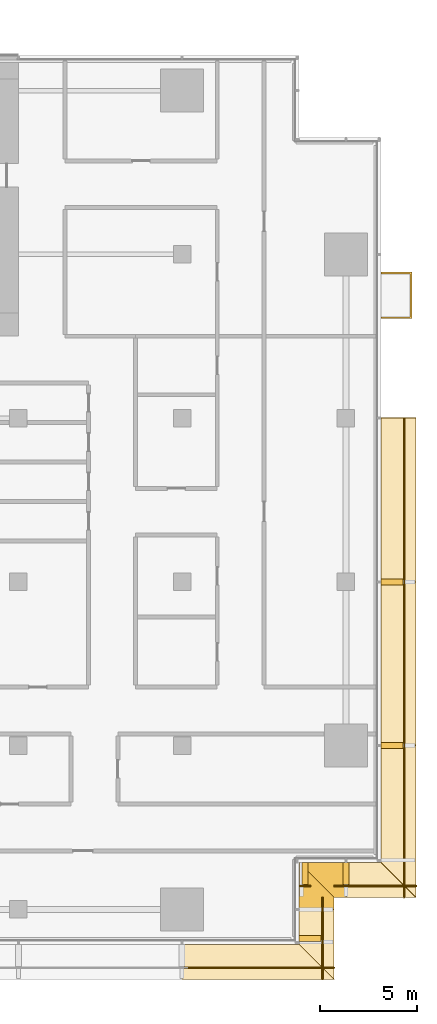
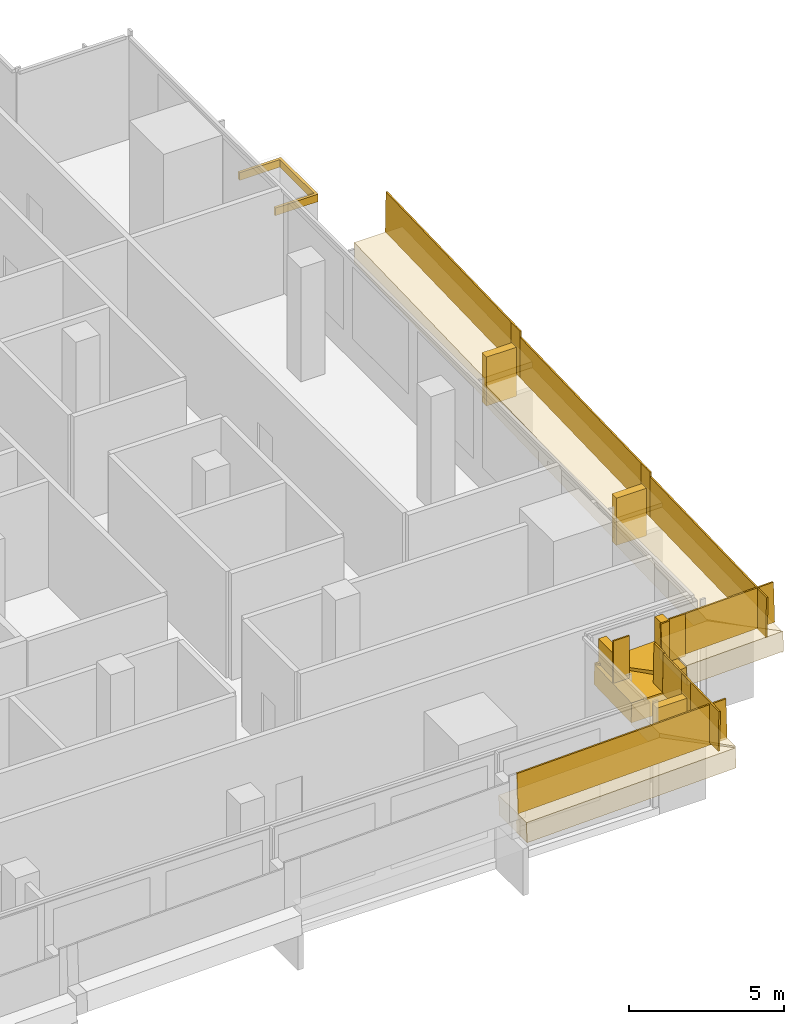
# One storey, part 24 of 24: 14 coverings, 13 railings.
"""IFC4 building model written with IfcOpenShell, lengths in metres."""

import ifcopenshell
import ifcopenshell.guid

model = None  # the IFC model being written
_history = None  # IfcOwnerHistory: only IFC2X3 demands one
_inside = {}  # id of a spatial element -> (the spatial element, [elements in it])
_under = {}  # id of a project, library or spatial element -> (it, [spatial elements below it])
_declared = {}  # id of a project -> (the project, [libraries it declares])
_typed = {}  # id of a type object -> (the type object, [elements of that type])
_made_of = {}  # id of a material, layer set ... -> (it, [elements and type objects made of it])


def new_model(schema):
    """Start an empty IFC model of exactly this schema.

    Asked for "IFC4X3", IfcOpenShell would pick the latest addendum, in which some entities
    have other attributes; the version numbers below select the first issue.
    IFC2X3 requires an IfcOwnerHistory on every rooted entity: one is made here for all.
    """
    global model, _history
    if schema == "IFC4X3":
        model = ifcopenshell.file(schema_version=(4, 3, 0, 0))
    else:
        model = ifcopenshell.file(schema=schema)
    _inside.clear()
    _under.clear()
    _declared.clear()
    _typed.clear()
    _made_of.clear()
    _history = None
    if model.schema == "IFC2X3":
        org = make("IfcOrganization", Name="unknown")
        user = make(
            "IfcPersonAndOrganization",
            ThePerson=make("IfcPerson", FamilyName="unknown"),
            TheOrganization=org,
        )
        app = make(
            "IfcApplication",
            ApplicationDeveloper=org,
            Version="unknown",
            ApplicationFullName="unknown",
            ApplicationIdentifier="unknown",
        )
        _history = make(
            "IfcOwnerHistory",
            OwningUser=user,
            OwningApplication=app,
            ChangeAction="ADDED",
            CreationDate=0,
        )
    return model


def make(cls, **values):
    """One entity of the class cls with the attributes given. An attribute that is None is left unset."""
    return model.create_entity(
        cls, **{name: value for name, value in values.items() if value is not None}
    )


def rooted(cls, **values):
    """An entity with a GlobalId (a new one), such as an element, a storey or a relation."""
    return make(cls, GlobalId=ifcopenshell.guid.new(), OwnerHistory=_history, **values)


def si_unit(unit_type, name, prefix=None):
    """IfcSIUnit, for example si_unit("LENGTHUNIT", "METRE", prefix="MILLI")."""
    return make("IfcSIUnit", UnitType=unit_type, Prefix=prefix, Name=name)


def assignment(units):
    """IfcUnitAssignment: the units of a project."""
    return None if units is None else make("IfcUnitAssignment", Units=units)


def point(xyz):
    """IfcCartesianPoint."""
    return None if xyz is None else make("IfcCartesianPoint", Coordinates=xyz)


def direction(xyz):
    """IfcDirection."""
    return None if xyz is None else make("IfcDirection", DirectionRatios=xyz)


def frame(location, z_axis=None, x_axis=None):
    """IfcAxis2Placement3D, a coordinate frame: its origin and axes. An axis left out is left unset."""
    return make(
        "IfcAxis2Placement3D",
        Location=point(location),
        Axis=direction(z_axis),
        RefDirection=direction(x_axis),
    )


def frame_2d(location, x_axis=None):
    """IfcAxis2Placement2D, a coordinate frame in the plane: its origin and x axis."""
    return make(
        "IfcAxis2Placement2D", Location=point(location), RefDirection=direction(x_axis)
    )


def origin():
    """The frame at (0, 0, 0) with its axes left unset."""
    return frame((0.0, 0.0, 0.0))


def origin_2d():
    """The frame at (0, 0) in the plane with its x axis left unset."""
    return frame_2d((0.0, 0.0))


def place(relative_to, where):
    """IfcLocalPlacement: puts the frame where relative to a parent placement (None: the world)."""
    return make(
        "IfcLocalPlacement", PlacementRelTo=relative_to, RelativePlacement=where
    )


def context(
    kind, dimensions, precision=None, world=None, true_north=None, identifier=None
):
    """IfcGeometricRepresentationContext, for example the 3D "Model" context."""
    return make(
        "IfcGeometricRepresentationContext",
        ContextIdentifier=identifier,
        ContextType=kind,
        CoordinateSpaceDimension=dimensions,
        Precision=precision,
        WorldCoordinateSystem=world,
        TrueNorth=true_north,
    )


def subcontext(parent, identifier, kind, view, scale=None):
    """IfcGeometricRepresentationSubContext, for example "Body" below "Model"."""
    return make(
        "IfcGeometricRepresentationSubContext",
        ContextIdentifier=identifier,
        ContextType=kind,
        ParentContext=parent,
        TargetScale=scale,
        TargetView=view,
    )


def project(units=None, contexts=None):
    """IfcProject with its units and contexts."""
    return rooted(
        "IfcProject",
        Name="project",
        RepresentationContexts=contexts,
        UnitsInContext=assignment(units),
    )


def spatial(cls, under=None, at=None, **own):
    """A site, building, storey or space (cls), placed at a placement, below another one or the project."""
    s = rooted(cls, ObjectPlacement=at, **own)
    if under is not None:
        _under.setdefault(under.id(), (under, []))[1].append(s)
    return s


def polyline(points):
    """IfcPolyline through the points."""
    return make("IfcPolyline", Points=[point(p) for p in points])


def profile(cls, at=None, kind="AREA", **sizes):
    """A parametric profile (cls). Its sizes go by their IFC names, for example OverallWidth=200.0."""
    return make(cls, ProfileType=kind, Position=at, **sizes)


def rectangle(**sizes):
    """IfcRectangleProfileDef."""
    return profile("IfcRectangleProfileDef", **sizes)


def outline(outer, holes=None, kind="AREA"):
    """IfcArbitraryClosedProfileDef: a profile drawn as a closed curve; with holes, ...WithVoids."""
    if holes is None:
        return make("IfcArbitraryClosedProfileDef", ProfileType=kind, OuterCurve=outer)
    return make(
        "IfcArbitraryProfileDefWithVoids",
        ProfileType=kind,
        OuterCurve=outer,
        InnerCurves=holes,
    )


def extrude(swept, where, along, depth):
    """IfcExtrudedAreaSolid: the profile swept, set in the frame where, extruded along a direction by depth."""
    return make(
        "IfcExtrudedAreaSolid",
        SweptArea=swept,
        Position=where,
        ExtrudedDirection=direction(along),
        Depth=depth,
    )


def shape(context_of_items, identifier, shape_type, items):
    """IfcShapeRepresentation: the items that make up one representation, for example the "Body"."""
    return make(
        "IfcShapeRepresentation",
        ContextOfItems=context_of_items,
        RepresentationIdentifier=identifier,
        RepresentationType=shape_type,
        Items=items,
    )


def material(Name=None, Category=None):
    """IfcMaterial."""
    return make("IfcMaterial", Name=Name, Category=Category)


def layer(
    of_material, thickness, ventilated=None, Name=None, Category=None, Priority=None
):
    """IfcMaterialLayer: one layer of a wall or slab, of a material (None: an air gap)."""
    return make(
        "IfcMaterialLayer",
        Material=of_material,
        LayerThickness=thickness,
        IsVentilated=ventilated,
        Name=Name,
        Category=Category,
        Priority=Priority,
    )


def layer_set(layers, Name=None):
    """IfcMaterialLayerSet."""
    return make("IfcMaterialLayerSet", MaterialLayers=layers, LayerSetName=Name)


def made_of(thing, what):
    """Note that an element or type object is made of a material, layer set ...; save() writes the relation."""
    if what is not None:
        _made_of.setdefault(what.id(), (what, []))[1].append(thing)
    return thing


def type_object(cls, material=None, **own):
    """A type object (cls), such as IfcWallType, which elements share."""
    return made_of(rooted(cls, **own), material)


def element(
    cls,
    number,
    at=None,
    inside=None,
    cuts=None,
    type_object=None,
    material=None,
    context=None,
    identifier="Body",
    shape_type=None,
    held_by="IfcProductDefinitionShape",
    body=None,
    shapes=None,
    **own,
):
    """One element of the class cls, such as IfcWall. Its Tag is "e" and its number.

    at: its placement. inside: the storey or other place that contains it. cuts: it is an
    opening in that element (IfcRelVoidsElement). A single representation is given by context,
    identifier, shape_type and body (its items); several are given by shapes. held_by: the class
    of the entity that holds the representations. save() writes the other relations.
    """
    e = rooted(cls, Tag="e%d" % number, ObjectPlacement=at, **own)
    if body is not None:
        shapes = [shape(context, identifier, shape_type, body)]
    if shapes is not None:
        e.Representation = make(held_by, Representations=shapes)
    if inside is not None:
        _inside.setdefault(inside.id(), (inside, []))[1].append(e)
    if cuts is not None:
        rooted(
            "IfcRelVoidsElement", RelatingBuildingElement=cuts, RelatedOpeningElement=e
        )
    if type_object is not None:
        _typed.setdefault(type_object.id(), (type_object, []))[1].append(e)
    return made_of(e, material)


def aggregate(whole, parts):
    """IfcRelAggregates: a whole, such as a stair, and the parts it consists of."""
    return rooted("IfcRelAggregates", RelatingObject=whole, RelatedObjects=parts)


def save(model, path):
    """Write the relations noted so far, then the file.

    IfcRelAggregates (storeys below a building ...), IfcRelContainedInSpatialStructure (elements
    in a storey), IfcRelDefinesByType, IfcRelAssociatesMaterial and IfcRelDeclares: one each for
    every whole, place, type object, material and project.
    """
    for whole, parts in _under.values():
        aggregate(whole, parts)
    for where, things in _inside.values():
        rooted(
            "IfcRelContainedInSpatialStructure",
            RelatedElements=things,
            RelatingStructure=where,
        )
    for kind, things in _typed.values():
        rooted("IfcRelDefinesByType", RelatedObjects=things, RelatingType=kind)
    for what, things in _made_of.values():
        rooted("IfcRelAssociatesMaterial", RelatedObjects=things, RelatingMaterial=what)
    for by, libraries in _declared.values():
        rooted("IfcRelDeclares", RelatingContext=by, RelatedDefinitions=libraries)
    model.write(path)


model = new_model("IFC4")

# Units and contexts
model_context = context("Model", 3, precision=1e-05, world=origin(), true_north=direction((0.0, 1.0)))
body_context = subcontext(model_context, "Body", "Model", "MODEL_VIEW")
ifc_project = project(units=[si_unit("LENGTHUNIT", "METRE"), si_unit("AREAUNIT", "SQUARE_METRE"), si_unit("VOLUMEUNIT", "CUBIC_METRE"), si_unit("PLANEANGLEUNIT", "RADIAN"), si_unit("MASSUNIT", "GRAM", prefix="KILO")], contexts=[model_context])

# Site, building, storey
site_placement = place(None, origin())
site = spatial("IfcSite", under=ifc_project, at=site_placement, CompositionType="ELEMENT")
building_placement = place(site_placement, origin())
building = spatial("IfcBuilding", under=site, at=building_placement, Name="Saffron Gate Tower", CompositionType="ELEMENT")
storey_placement = place(building_placement, frame((0.0, 0.0, 28.199951171875)))
storey = spatial("IfcBuildingStorey", under=building, at=storey_placement, Name="L05", CompositionType="ELEMENT", Elevation=28.199951171875)

# Coverings
ifc_material_1 = material(Name="Powder-coated aluminium, bright green", Category="aluminium")
ifc_layer_1 = layer(ifc_material_1, 0.080078125)
ifc_layer_set_1 = layer_set([ifc_layer_1], Name="BX1 box frame")
covering_type_1 = type_object("IfcCoveringType", Name="BX1 box frame", PredefinedType="CLADDING", material=ifc_layer_set_1)
covering_1_placement = place(storey_placement, frame((0.0, 0.0, 2.400146484375)))
element("IfcCovering", 1, at=covering_1_placement, inside=storey, type_object=covering_type_1, Name="CLADDING box frame bright", PredefinedType="CLADDING", context=body_context, shape_type="SweptSolid", body=[
    extrude(outline(polyline([(127.199951171875, 62.10009765625), (127.199951171875, 62.199951171875), (128.699951171875, 62.199951171875), (128.699951171875, 64.39990234375), (127.199951171875, 64.39990234375), (127.199951171875, 64.5), (128.800048828125, 64.5), (128.800048828125, 62.10009765625), (127.199951171875, 62.10009765625)])), origin(), (0.0, 0.0, 1.0), 0.2998046875),
])
ifc_material_2 = material(Name="Timber, thermally modified ash", Category="wood")
ifc_layer_2 = layer(ifc_material_2, 0.800048828125)
ifc_layer_set_2 = layer_set([ifc_layer_2], Name="LD1 ledge timber")
covering_type_2 = type_object("IfcCoveringType", Name="LD1 ledge timber", PredefinedType="CLADDING", material=ifc_layer_set_2)
covering_2_placement = place(storey_placement, frame((117.0, 30.0, 2.578857421875), z_axis=(-0.028771807682, 5.2711305e-05, 0.999586004456), x_axis=(0.999586005845, 8.33e-10, 0.028771807722)))
element("IfcCovering", 2, at=covering_2_placement, inside=storey, type_object=covering_type_2, Name="LEDGE", PredefinedType="CLADDING", context=body_context, shape_type="SweptSolid", body=[
    extrude(outline(polyline([(0.0, 0.0), (6.00248226262132, 0.0), (7.803282069748724, -1.8000488371275707), (-1.4998410179077005e-09, -1.8000488256242986), (0.0, 0.0)])), origin(), (0.0, 0.0, -1.0), 0.800048828125),
])
covering_3_placement = place(storey_placement, frame((123.0, 30.0, 2.916748046875), z_axis=(4.5191264e-05, -0.028786835276, 0.999585572161), x_axis=(2.041e-09, 0.999585573182, 0.028786835305)))
element("IfcCovering", 3, at=covering_3_placement, inside=storey, type_object=covering_type_2, Name="LEDGE", PredefinedType="CLADDING", context=body_context, shape_type="SweptSolid", body=[
    extrude(outline(polyline([(0.0, 0.0), (1.8007927832406818, 0.0), (1.8007927869153135, -1.800048826286925), (-1.8007998076020133, -1.8000488373153904), (0.0, 0.0)])), origin(), (0.0, 0.0, -1.0), 0.800048828125),
])
covering_4_placement = place(storey_placement, frame((123.0, 31.800048828125, 3.01806640625), z_axis=(-2.8677152e-05, -0.028798988267, 0.999585222706), x_axis=(-6.17e-10, 0.999585223117, 0.028798988279)))
element("IfcCovering", 4, at=covering_4_placement, inside=storey, type_object=covering_type_2, Name="LEDGE", PredefinedType="CLADDING", context=body_context, shape_type="SweptSolid", body=[
    extrude(outline(polyline([(0.0, 0.0), (2.400896693585025, 4.235164736271502e-22), (0.6001039103565923, -1.8000488292351675), (-1.1098572600196767e-09, -1.8000488273848385), (0.0, 0.0)])), origin(), (0.0, 0.0, -1.0), 0.800048828125),
])
covering_5_placement = place(storey_placement, frame((123.0, 34.199951171875, 3.1533203125), z_axis=(-0.028798988267, -2.8677152e-05, 0.999585222706), x_axis=(0.999585223117, -6.17e-10, 0.028798988279)))
element("IfcCovering", 5, at=covering_5_placement, inside=storey, type_object=covering_type_2, Name="LEDGE", PredefinedType="CLADDING", context=body_context, shape_type="SweptSolid", body=[
    extrude(outline(polyline([(0.0, 0.0), (2.400896693585025, -4.235164736271502e-22), (2.400896694694882, -1.8000488273848385), (1.8007927832284332, -1.8000488292351673), (0.0, 0.0)])), origin(), (0.0, 0.0, -1.0), 0.800048828125),
])
covering_6_placement = place(storey_placement, frame((125.39990234375, 34.199951171875, 3.288330078125), z_axis=(-0.028831989003, -4.5191205e-05, 0.999584270769), x_axis=(0.999584271789, 2.041e-09, 0.028831989032)))
element("IfcCovering", 6, at=covering_6_placement, inside=storey, type_object=covering_type_2, Name="LEDGE", PredefinedType="CLADDING", context=body_context, shape_type="SweptSolid", body=[
    extrude(outline(polyline([(0.0, 0.0), (1.8007998167885757, 0.0), (3.6015925908427215, -1.800048837315338), (-3.6746077267916745e-09, -1.80004882628693), (0.0, 0.0)])), origin(), (0.0, 0.0, -1.0), 0.800048828125),
])
covering_7_placement = place(storey_placement, frame((127.199951171875, 34.199951171875, 3.389892578125), z_axis=(5.2711305e-05, -0.028771807682, 0.999586004456), x_axis=(8.33e-10, 0.999586005845, 0.028771807722)))
element("IfcCovering", 7, at=covering_7_placement, inside=storey, type_object=covering_type_2, Name="LEDGE", PredefinedType="CLADDING", context=body_context, shape_type="SweptSolid", body=[
    extrude(outline(polyline([(0.0, 0.0), (6.00248226262132, 0.0), (6.002482264121161, -1.8000488256242986), (-1.8007998071274047, -1.8000488371275707), (0.0, 0.0)])), origin(), (0.0, 0.0, -1.0), 0.800048828125),
])
covering_8_placement = place(storey_placement, frame((127.199951171875, 40.199951171875, 3.727783203125), z_axis=(0.0, -0.028790339263, 0.999585472266), x_axis=(0.0, 0.999585472266, 0.028790339263)))
element("IfcCovering", 8, at=covering_8_placement, inside=storey, type_object=covering_type_2, Name="LEDGE", PredefinedType="CLADDING", context=body_context, shape_type="SweptSolid", body=[
    extrude(outline(polyline([(0.0, 0.0), (8.403630022085892, 0.0), (8.403630022085892, -1.800048828125), (0.0, -1.800048828125), (0.0, 0.0)])), origin(), (0.0, 0.0, -1.0), 0.800048828125),
])
covering_9_placement = place(storey_placement, frame((127.199951171875, 48.60009765625, 4.200927734375), z_axis=(0.0, -0.028791175352, 0.999585448184), x_axis=(0.0, 0.999585448184, 0.028791175352)))
element("IfcCovering", 9, at=covering_9_placement, inside=storey, type_object=covering_type_2, Name="LEDGE", PredefinedType="CLADDING", context=body_context, shape_type="SweptSolid", body=[
    extrude(outline(polyline([(0.0, 0.0), (8.403385982666892, 0.0), (8.403385982666892, -1.800048828125), (0.0, -1.800048828125), (0.0, 0.0)])), origin(), (0.0, 0.0, -1.0), 0.800048828125),
])
ifc_layer_3 = layer(ifc_material_2, 0.300048828125)
ifc_layer_set_3 = layer_set([ifc_layer_3], Name="LD3 ledge riser fin")
covering_type_3 = type_object("IfcCoveringType", Name="LD3 ledge riser fin", PredefinedType="CLADDING", material=ifc_layer_set_3)
covering_10_placement = place(storey_placement, frame((123.56005859375, 30.300048828125, 1.95166015625), z_axis=(0.0, 0.0, 1.0), x_axis=(0.0, 1.0, 0.0)))
element("IfcCovering", 10, at=covering_10_placement, inside=storey, type_object=covering_type_3, Name="LEDGE riser fin", PredefinedType="CLADDING", context=body_context, shape_type="SweptSolid", body=[
    extrude(rectangle(XDim=0.300048828125, YDim=1.1201171875, at=origin_2d()), origin(), (0.0, 0.0, 1.0), 1.864990234375),
])
for number, where, z_axis, x_axis, name in (
    (11, (123.300048828125, 33.639892578125, 2.287109375), (0.0, 0.0, 1.0), (1.0, 0.0, 0.0), "LEDGE riser fin"),
    (12, (125.39990234375, 33.639892578125, 2.42236328125), (0.0, 0.0, 1.0), (1.0, 0.0, 0.0), "LEDGE riser fin"),
):
    element("IfcCovering", number, at=place(storey_placement, frame(where, z_axis=z_axis, x_axis=x_axis)), inside=storey, type_object=covering_type_3, Name=name, PredefinedType="CLADDING", context=body_context, shape_type="SweptSolid", body=[
        extrude(rectangle(XDim=0.300048828125, YDim=1.1201171875, at=origin_2d()), origin(), (0.0, 0.0, 1.0), 1.76611328125),
    ])
covering_11_placement = place(storey_placement, frame((127.760009765625, 40.199951171875, 2.7626953125), z_axis=(0.0, 0.0, 1.0), x_axis=(0.0, 1.0, 0.0)))
element("IfcCovering", 13, at=covering_11_placement, inside=storey, type_object=covering_type_3, Name="LEDGE riser fin", PredefinedType="CLADDING", context=body_context, shape_type="SweptSolid", body=[
    extrude(rectangle(XDim=0.300048828125, YDim=1.1201171875, at=origin_2d()), origin(), (0.0, 0.0, 1.0), 1.864990234375),
])
covering_12_placement = place(storey_placement, frame((127.760009765625, 48.60009765625, 3.169677734375), z_axis=(0.0, 0.0, 1.0), x_axis=(0.0, 1.0, 0.0)))
element("IfcCovering", 14, at=covering_12_placement, inside=storey, type_object=covering_type_3, Name="LEDGE riser fin", PredefinedType="CLADDING", context=body_context, shape_type="SweptSolid", body=[
    extrude(rectangle(XDim=0.300048828125, YDim=1.1201171875, at=origin_2d()), origin(), (0.0, 0.0, 1.0), 1.93115234375),
])

# Railings
railing_type = type_object("IfcRailingType", Name="LG1 ledge balustrade", PredefinedType="BALUSTRADE", material=ifc_material_2)
railing_1_placement = place(storey_placement, frame((117.0, 28.800048828125, 2.578857421875)))
element("IfcRailing", 15, at=railing_1_placement, inside=storey, type_object=railing_type, Name="LEDGE BALUSTRADE", PredefinedType="BALUSTRADE", context=body_context, shape_type="SweptSolid", body=[
    extrude(rectangle(XDim=0.06005859375, YDim=1.60009765625, at=origin_2d()), frame((0.0, 0.0, 0.800048828125), z_axis=(0.999585655924, 0.0, 0.028783962047), x_axis=(0.0, 1.0, 0.0)), (0.0, 0.0, 1.0), 7.80322265625),
])
railing_2_placement = place(storey_placement, frame((124.199951171875, 28.199951171875, 2.86474609375)))
element("IfcRailing", 16, at=railing_2_placement, inside=storey, type_object=railing_type, Name="LEDGE BALUSTRADE", PredefinedType="BALUSTRADE", context=body_context, shape_type="SweptSolid", body=[
    extrude(rectangle(XDim=0.06005859375, YDim=1.60009765625, at=origin_2d()), frame((0.0, 0.0, 0.800048828125), z_axis=(0.0, 0.99958492274, 0.028809412191), x_axis=(-1.0, 0.0, 0.0)), (0.0, 0.0, 1.0), 3.6015625),
])
railing_3_placement = place(storey_placement, frame((124.199951171875, 30.0, 2.75146484375)))
element("IfcRailing", 17, at=railing_3_placement, inside=storey, type_object=railing_type, Name="LEDGE BALUSTRADE", PredefinedType="BALUSTRADE", context=body_context, shape_type="SweptSolid", body=[
    extrude(rectangle(XDim=0.06005859375, YDim=1.76513671875, at=origin_2d()), frame((0.0, 0.0, 0.882568359375), z_axis=(0.0, 1.0, 0.0), x_axis=(-1.0, 0.0, 0.0)), (0.0, 0.0, 1.0), 0.60009765625),
])
railing_4_placement = place(storey_placement, frame((124.199951171875, 31.800048828125, 3.01806640625)))
element("IfcRailing", 18, at=railing_4_placement, inside=storey, type_object=railing_type, Name="LEDGE BALUSTRADE", PredefinedType="BALUSTRADE", context=body_context, shape_type="SweptSolid", body=[
    extrude(rectangle(XDim=0.06005859375, YDim=1.60009765625, at=origin_2d()), frame((0.0, 0.0, 0.800048828125), z_axis=(0.0, 0.999582742162, 0.028884971385), x_axis=(-1.0, 0.0, 0.0)), (0.0, 0.0, 1.0), 0.60009765625),
])
railing_5_placement = place(storey_placement, frame((124.800048828125, 33.0, 3.205078125)))
element("IfcRailing", 19, at=railing_5_placement, inside=storey, type_object=railing_type, Name="LEDGE BALUSTRADE", PredefinedType="BALUSTRADE", context=body_context, shape_type="SweptSolid", body=[
    extrude(rectangle(XDim=0.06005859375, YDim=1.60009765625, at=origin_2d()), frame((0.0, 0.0, 0.800048828125), z_axis=(0.999582742162, 0.0, 0.028884971385), x_axis=(0.0, 1.0, 0.0)), (0.0, 0.0, 1.0), 0.60009765625),
])
railing_6_placement = place(storey_placement, frame((123.0, 33.0, 3.087158203125)))
element("IfcRailing", 20, at=railing_6_placement, inside=storey, type_object=railing_type, Name="LEDGE BALUSTRADE", PredefinedType="BALUSTRADE", context=body_context, shape_type="SweptSolid", body=[
    extrude(rectangle(XDim=0.06005859375, YDim=1.666015625, at=origin_2d()), frame((0.0, 0.0, 0.8330078125), z_axis=(1.0, 0.0, 0.0), x_axis=(0.0, 1.0, 0.0)), (0.0, 0.0, 1.0), 0.60009765625),
])
railing_7_placement = place(storey_placement, frame((125.39990234375, 33.0, 3.288330078125)))
element("IfcRailing", 21, at=railing_7_placement, inside=storey, type_object=railing_type, Name="LEDGE BALUSTRADE", PredefinedType="BALUSTRADE", context=body_context, shape_type="SweptSolid", body=[
    extrude(rectangle(XDim=0.06005859375, YDim=1.60009765625, at=origin_2d()), frame((0.0, 0.0, 0.800048828125), z_axis=(0.99958492274, 0.0, 0.028809412191), x_axis=(0.0, 1.0, 0.0)), (0.0, 0.0, 1.0), 3.6015625),
])
railing_8_placement = place(storey_placement, frame((125.10009765625, 33.0, 3.222412109375)))
element("IfcRailing", 22, at=railing_8_placement, inside=storey, type_object=railing_type, Name="LEDGE BALUSTRADE", PredefinedType="BALUSTRADE", context=body_context, shape_type="SweptSolid", body=[
    extrude(rectangle(XDim=0.06005859375, YDim=1.666015625, at=origin_2d()), frame((0.0, 0.0, 0.8330078125), z_axis=(1.0, 0.0, 0.0), x_axis=(0.0, 1.0, 0.0)), (0.0, 0.0, 1.0), 0.599853515625),
])
railing_9_placement = place(storey_placement, frame((128.39990234375, 32.39990234375, 3.337890625)))
element("IfcRailing", 23, at=railing_9_placement, inside=storey, type_object=railing_type, Name="LEDGE BALUSTRADE", PredefinedType="BALUSTRADE", context=body_context, shape_type="SweptSolid", body=[
    extrude(rectangle(XDim=0.06005859375, YDim=1.60009765625, at=origin_2d()), frame((0.0, 0.0, 0.800048828125), z_axis=(0.0, 0.999585655924, 0.028783962047), x_axis=(-1.0, 0.0, 0.0)), (0.0, 0.0, 1.0), 7.80322265625),
])
railing_10_placement = place(storey_placement, frame((128.39990234375, 40.199951171875, 3.727783203125)))
element("IfcRailing", 24, at=railing_10_placement, inside=storey, type_object=railing_type, Name="LEDGE BALUSTRADE", PredefinedType="BALUSTRADE", context=body_context, shape_type="SweptSolid", body=[
    extrude(rectangle(XDim=0.06005859375, YDim=1.60009765625, at=origin_2d()), frame((0.0, 0.0, 0.800048828125), z_axis=(0.0, 0.999585472266, 0.028790339263), x_axis=(-1.0, 0.0, 0.0)), (0.0, 0.0, 1.0), 8.403564453125),
])
railing_11_placement = place(storey_placement, frame((128.39990234375, 39.89990234375, 3.5625)))
element("IfcRailing", 25, at=railing_11_placement, inside=storey, type_object=railing_type, Name="LEDGE BALUSTRADE", PredefinedType="BALUSTRADE", context=body_context, shape_type="SweptSolid", body=[
    extrude(rectangle(XDim=0.06005859375, YDim=1.76513671875, at=origin_2d()), frame((0.0, 0.0, 0.882568359375), z_axis=(0.0, 1.0, 0.0), x_axis=(-1.0, 0.0, 0.0)), (0.0, 0.0, 1.0), 0.60009765625),
])
railing_12_placement = place(storey_placement, frame((128.39990234375, 48.60009765625, 4.200927734375)))
element("IfcRailing", 26, at=railing_12_placement, inside=storey, type_object=railing_type, Name="LEDGE BALUSTRADE", PredefinedType="BALUSTRADE", context=body_context, shape_type="SweptSolid", body=[
    extrude(rectangle(XDim=0.06005859375, YDim=1.60009765625, at=origin_2d()), frame((0.0, 0.0, 0.800048828125), z_axis=(0.0, 0.999585448184, 0.028791175352), x_axis=(-1.0, 0.0, 0.0)), (0.0, 0.0, 1.0), 8.4033203125),
])
railing_13_placement = place(storey_placement, frame((128.39990234375, 48.300048828125, 3.9697265625)))
element("IfcRailing", 27, at=railing_13_placement, inside=storey, type_object=railing_type, Name="LEDGE BALUSTRADE", PredefinedType="BALUSTRADE", context=body_context, shape_type="SweptSolid", body=[
    extrude(rectangle(XDim=0.06005859375, YDim=1.8310546875, at=origin_2d()), frame((0.0, 0.0, 0.91552734375), z_axis=(0.0, 1.0, 0.0), x_axis=(-1.0, 0.0, 0.0)), (0.0, 0.0, 1.0), 0.599853515625),
])

save(model, "model.ifc")
